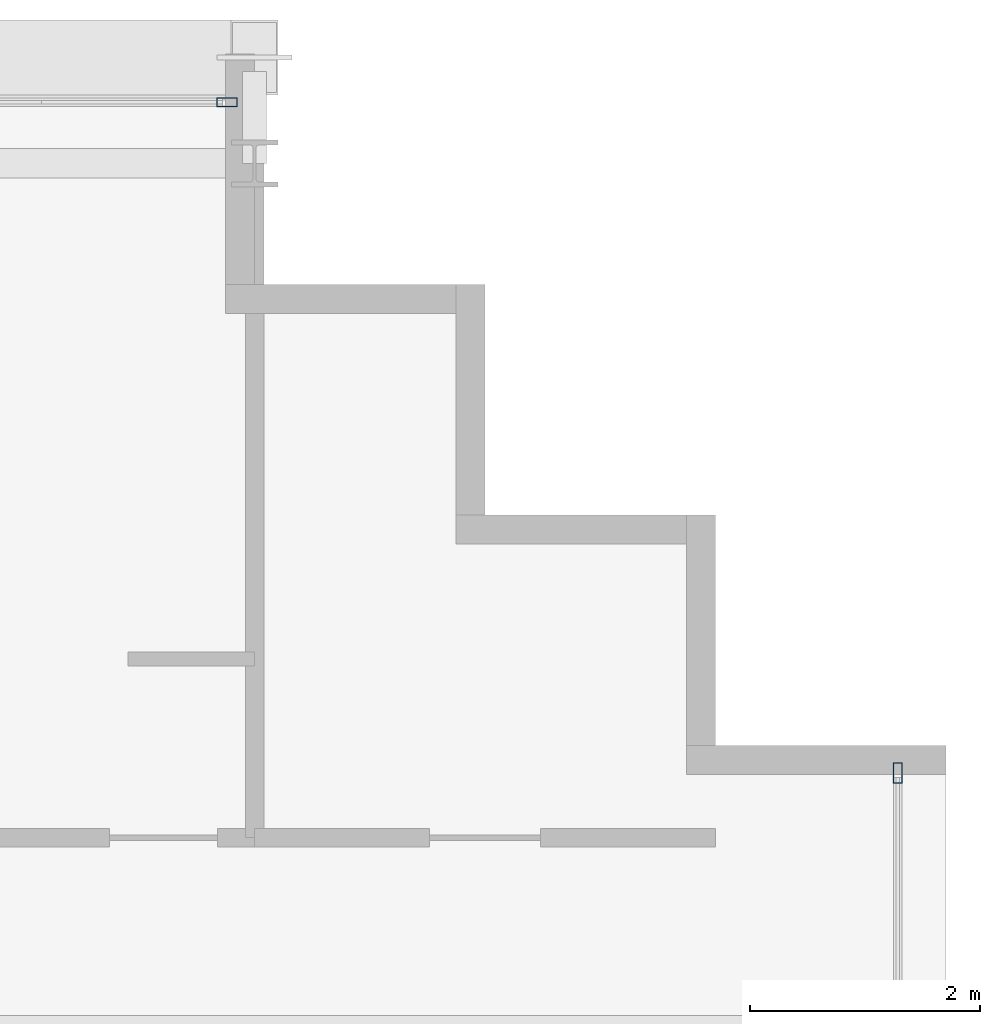
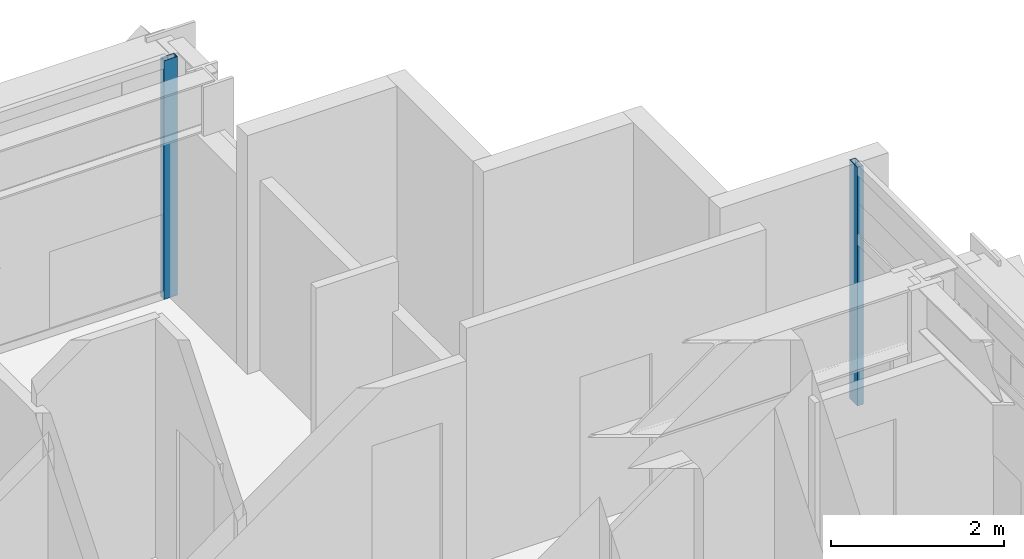
# One storey, part 19 of 32: 2 members, 2 elements without a shape of their own.
"""IFC4 building model written with IfcOpenShell, lengths in metres."""

from ifc_helpers import new_model, si_unit, direction, frame, origin, origin_2d, place, context, subcontext, project, spatial, hollow_rectangle, extrude, source, transform, mapped, material, layer, layer_set, material_profile, profile_set, type_object, element, aggregate, save


model = new_model("IFC4")

# Units and contexts
model_context = context("Model", 3, precision=1e-05, world=origin(), true_north=direction((0.0, 1.0)))
body_context = subcontext(model_context, "Body", "Model", "MODEL_VIEW")
ifc_project = project(units=[si_unit("LENGTHUNIT", "METRE"), si_unit("AREAUNIT", "SQUARE_METRE"), si_unit("VOLUMEUNIT", "CUBIC_METRE"), si_unit("PLANEANGLEUNIT", "RADIAN"), si_unit("MASSUNIT", "GRAM", prefix="KILO")], contexts=[model_context])

# Site, building, storey
site_placement = place(None, origin())
site = spatial("IfcSite", under=ifc_project, at=site_placement, CompositionType="ELEMENT")
building_placement = place(site_placement, origin())
building = spatial("IfcBuilding", under=site, at=building_placement, Name="Ocotamira Hotel", CompositionType="ELEMENT")
storey_placement = place(building_placement, frame((0.0, 0.0, 177.60009765625)))
storey = spatial("IfcBuildingStorey", under=building, at=storey_placement, Name="L44", CompositionType="ELEMENT", Elevation=177.60009765625)

# Curtain wall, member
ifc_material_1 = material(Name="Anodised pale-metal aluminium and solar glass", Category="aluminium")
ifc_layer = layer(ifc_material_1, 0.199951171875)
ifc_layer_set = layer_set([ifc_layer], Name="Anodised pale-metal aluminium and solar glass")
curtain_wall_type = type_object("IfcCurtainWallType", Name="CW-SYS4-Z3", PredefinedType="NOTDEFINED", material=ifc_layer_set)
curtain_wall_1_placement = place(storey_placement, origin())
curtain_wall_1 = element("IfcCurtainWall", 1, at=curtain_wall_1_placement, inside=storey, type_object=curtain_wall_type, Name="L44 Curtain Wall CW-4 CW-L44-N", PredefinedType="NOTDEFINED")
ifc_material_2 = material(Name="Anodised pale-metal aluminium 6063-T6", Category="aluminium")
ifc_material_profile = material_profile(ifc_material_2, hollow_rectangle(XDim=0.080078125, YDim=0.179931640625, WallThickness=0.006103515625, at=origin_2d()), Name="HSS180X80X6")
ifc_profile_set = profile_set([ifc_material_profile], Name="Anodised pale-metal aluminium 6063-T6")
member_type = type_object("IfcMemberType", Name="CWM-180X75", PredefinedType="MULLION", material=ifc_profile_set)
shared_shape = source(origin(), body_context, "Body", "SweptSolid", [
    extrude(hollow_rectangle(XDim=0.080078125, YDim=0.179931640625, WallThickness=0.006103515625, at=origin_2d()), origin(), (0.0, 0.0, 1.0), 3.369873046875),
])
member_1_placement = place(storey_placement, frame((49.760009765625, 45.580078125, 0.0), z_axis=(0.0, 0.0, 1.0), x_axis=(0.0, 1.0, 0.0)))
member_1 = element("IfcMember", 2, at=member_1_placement, type_object=member_type, Name="CW-4 mullion 10", PredefinedType="MULLION", context=body_context, shape_type="MappedRepresentation", body=[
    mapped(shared_shape, transform((0.0, 0.0, 0.0), scale=1.0)),
])
aggregate(curtain_wall_1, [member_1])

curtain_wall_2_placement = place(storey_placement, origin())
curtain_wall_2 = element("IfcCurtainWall", 3, at=curtain_wall_2_placement, inside=storey, type_object=curtain_wall_type, Name="L44 Curtain Wall CW-4 CW-L44-E", PredefinedType="NOTDEFINED")
member_2_placement = place(storey_placement, frame((55.580078125, 39.760009765625, 0.0), z_axis=(0.0, 0.0, 1.0), x_axis=(-1.0, 0.0, 0.0)))
member_2 = element("IfcMember", 4, at=member_2_placement, type_object=member_type, Name="CW-4 mullion 6", PredefinedType="MULLION", context=body_context, shape_type="MappedRepresentation", body=[
    mapped(shared_shape, transform((0.0, 0.0, 0.0), scale=1.0)),
])
aggregate(curtain_wall_2, [member_2])

save(model, "model.ifc")
